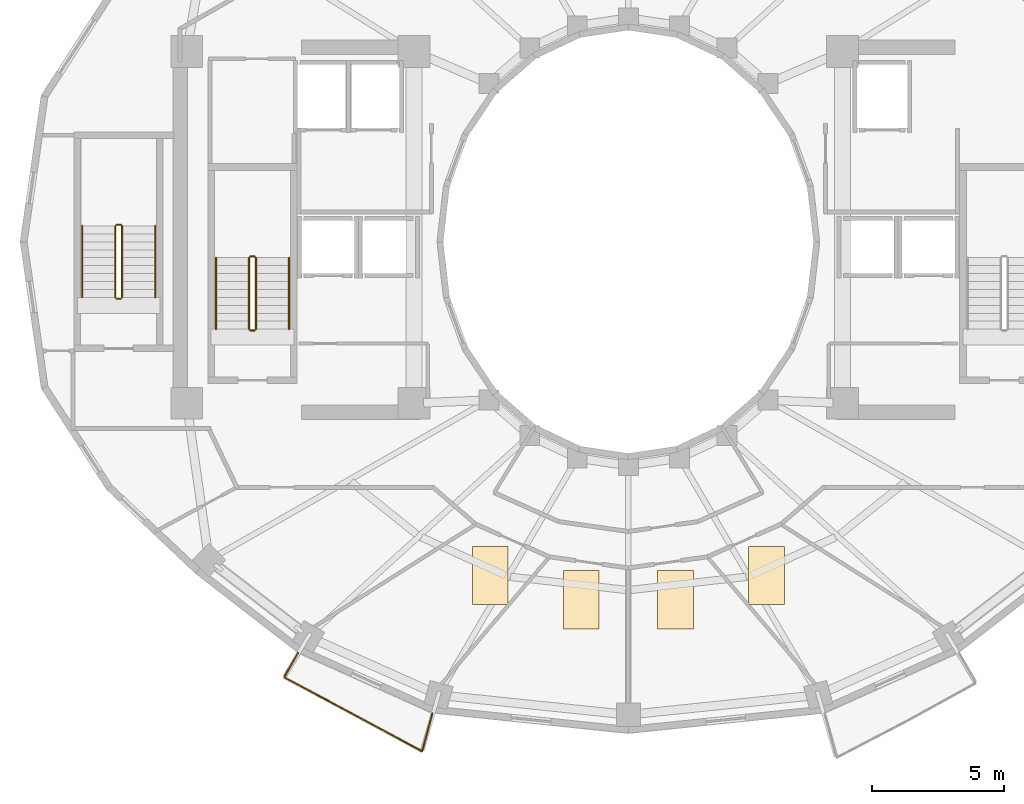
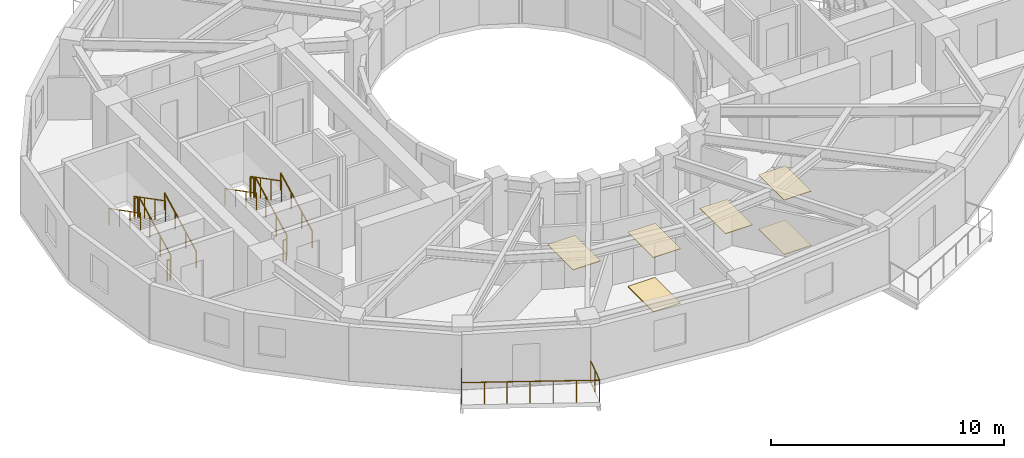
# One storey, part 8 of 10: 13 railings, 6 coverings.
"""IFC4 building model written with IfcOpenShell, lengths in metres."""

from ifc_helpers import new_model, si_unit, direction, frame, origin, origin_2d, place, context, subcontext, project, spatial, polyline, circle, outline, extrude, material, layer, layer_set, type_object, element, save


model = new_model("IFC4")

# Units and contexts
model_context = context("Model", 3, precision=1e-05, world=origin(), true_north=direction((0.0, 1.0)))
body_context = subcontext(model_context, "Body", "Model", "MODEL_VIEW")
ifc_project = project(units=[si_unit("LENGTHUNIT", "METRE"), si_unit("AREAUNIT", "SQUARE_METRE"), si_unit("VOLUMEUNIT", "CUBIC_METRE"), si_unit("PLANEANGLEUNIT", "RADIAN"), si_unit("MASSUNIT", "GRAM", prefix="KILO")], contexts=[model_context])

# Site, building, storey
site_placement = place(None, origin())
site = spatial("IfcSite", under=ifc_project, at=site_placement, CompositionType="ELEMENT")
building_placement = place(site_placement, origin())
building = spatial("IfcBuilding", under=site, at=building_placement, Name="Solvane Sanctuary Tower", CompositionType="ELEMENT")
storey_placement = place(building_placement, frame((0.0, 0.0, 183.89990234375)))
storey = spatial("IfcBuildingStorey", under=building, at=storey_placement, Name="L56", CompositionType="ELEMENT", Elevation=183.89990234375)

# Coverings
ifc_material_1 = material(Name="Acoustic Gypsum Partition Board")
ifc_layer_1 = layer(ifc_material_1, 0.02490234375, Name="Acoustic Gypsum Partition Board")
ifc_layer_set_1 = layer_set([ifc_layer_1], Name="Acoustic Gypsum Partition Board")
covering_type_1 = type_object("IfcCoveringType", Name="Covering CLG-ACOUST", PredefinedType="CEILING", material=ifc_layer_set_1)
covering_1_placement = place(storey_placement, frame((0.0, 0.0, 2.85009765625)))
element("IfcCovering", 1, at=covering_1_placement, inside=storey, type_object=covering_type_1, Name="L56 Unit Acoustic Ceiling Panel 5", PredefinedType="CEILING", context=body_context, shape_type="SweptSolid", body=[
    extrude(outline(polyline([(26.10107421875, 9.2890625), (27.450927734375, 9.2890625), (27.450927734375, 11.489013671875), (26.10107421875, 11.489013671875), (26.10107421875, 9.2890625)])), origin(), (0.0, 0.0, 1.0), 0.030029296875),
])
covering_2_placement = place(storey_placement, frame((0.0, 0.0, 2.85009765625)))
element("IfcCovering", 2, at=covering_2_placement, inside=storey, type_object=covering_type_1, Name="L56 Unit Acoustic Ceiling Panel 6", PredefinedType="CEILING", context=body_context, shape_type="SweptSolid", body=[
    extrude(outline(polyline([(29.54296875, 8.366943359375), (30.89306640625, 8.366943359375), (30.89306640625, 10.56689453125), (29.54296875, 10.56689453125), (29.54296875, 8.366943359375)])), origin(), (0.0, 0.0, 1.0), 0.030029296875),
])
covering_3_placement = place(storey_placement, frame((0.0, 0.0, 2.85009765625)))
element("IfcCovering", 3, at=covering_3_placement, inside=storey, type_object=covering_type_1, Name="L56 Unit Acoustic Ceiling Panel 7", PredefinedType="CEILING", context=body_context, shape_type="SweptSolid", body=[
    extrude(outline(polyline([(33.10693359375, 8.366943359375), (34.45703125, 8.366943359375), (34.45703125, 10.56689453125), (33.10693359375, 10.56689453125), (33.10693359375, 8.366943359375)])), origin(), (0.0, 0.0, 1.0), 0.030029296875),
])
covering_4_placement = place(storey_placement, frame((0.0, 0.0, 2.85009765625)))
element("IfcCovering", 4, at=covering_4_placement, inside=storey, type_object=covering_type_1, Name="L56 Unit Acoustic Ceiling Panel 8", PredefinedType="CEILING", context=body_context, shape_type="SweptSolid", body=[
    extrude(outline(polyline([(36.549072265625, 9.2890625), (37.89892578125, 9.2890625), (37.89892578125, 11.489013671875), (36.549072265625, 11.489013671875), (36.549072265625, 9.2890625)])), origin(), (0.0, 0.0, 1.0), 0.030029296875),
])
ifc_material_2 = material(Name="Ceramic Tile Finish")
ifc_layer_2 = layer(ifc_material_2, 0.030029296875, Name="Ceramic Tile Finish")
ifc_layer_set_2 = layer_set([ifc_layer_2], Name="Ceramic Tile Finish")
covering_type_2 = type_object("IfcCoveringType", Name="Covering FLR-TERRAZZO", PredefinedType="FLOORING", material=ifc_layer_set_2)
covering_5_placement = place(storey_placement, origin())
element("IfcCovering", 5, at=covering_5_placement, inside=storey, type_object=covering_type_2, Name="L56 Unit Terrazzo Inlay 6", PredefinedType="FLOORING", context=body_context, shape_type="SweptSolid", body=[
    extrude(outline(polyline([(29.54296875, 8.366943359375), (30.89306640625, 8.366943359375), (30.89306640625, 10.56689453125), (29.54296875, 10.56689453125), (29.54296875, 8.366943359375)])), origin(), (0.0, 0.0, 1.0), 0.03515625),
])
covering_6_placement = place(storey_placement, origin())
element("IfcCovering", 6, at=covering_6_placement, inside=storey, type_object=covering_type_2, Name="L56 Unit Terrazzo Inlay 8", PredefinedType="FLOORING", context=body_context, shape_type="SweptSolid", body=[
    extrude(outline(polyline([(36.549072265625, 9.2890625), (37.89892578125, 9.2890625), (37.89892578125, 11.489013671875), (36.549072265625, 11.489013671875), (36.549072265625, 9.2890625)])), origin(), (0.0, 0.0, 1.0), 0.03515625),
])

# Railings
ifc_material_3 = material(Name="Architectural Stainless Steel 316", Category="steel")
railing_type_1 = type_object("IfcRailingType", Name="Railing GR-BALC-1150", PredefinedType="BALUSTRADE", material=ifc_material_3)
railing_1_placement = place(storey_placement, frame((19.510986328125, 7.4541015625, 0.0)))
element("IfcRailing", 7, at=railing_1_placement, inside=storey, type_object=railing_type_1, Name="L56 Wave Balcony Balustrade S1", PredefinedType="BALUSTRADE", context=body_context, shape_type="SweptSolid", body=[
    extrude(circle(Radius=0.02392578125, at=origin_2d()), frame((0.0, 0.0, 1.1259765625), z_axis=(-0.50006949096, -0.865985279442, 0.0), x_axis=(0.865985279442, -0.50006949096, 0.0)), (0.0, 0.0, 1.0), 1.055419921875),
    extrude(circle(Radius=0.02392578125, at=origin_2d()), frame((-0.52783203125, -0.9140625, 1.1259765625), z_axis=(0.881917358686, -0.471404043734, 0.0), x_axis=(0.471404043734, 0.881917358686, 0.0)), (0.0, 0.0, 1.0), 2.93505859375),
    extrude(circle(Radius=0.02392578125, at=origin_2d()), frame((2.060546875, -2.297607421875, 1.1259765625), z_axis=(0.880368903355, -0.474289567674, 0.0), x_axis=(0.474289567674, 0.880368903355, 0.0)), (0.0, 0.0, 1.0), 2.9921875),
    extrude(circle(Radius=0.02392578125, at=origin_2d()), frame((4.69482421875, -3.716796875, 1.1259765625), z_axis=(0.258686731878, 0.965961269798, 0.0), x_axis=(-0.965961269798, 0.258686731878, 0.0)), (0.0, 0.0, 1.0), 1.483642578125),
    extrude(circle(Radius=0.02099609375, at=origin_2d()), origin(), (0.0, 0.0, 1.0), 1.101806640625),
    extrude(circle(Radius=0.02099609375, at=origin_2d()), frame((-0.52783203125, -0.9140625, 0.0)), (0.0, 0.0, 1.0), 1.101806640625),
    extrude(circle(Radius=0.02099609375, at=origin_2d()), frame((0.3349609375, -1.375244140625, 0.0)), (0.0, 0.0, 1.0), 1.101806640625),
    extrude(circle(Radius=0.02099609375, at=origin_2d()), frame((1.19775390625, -1.83642578125, 0.0)), (0.0, 0.0, 1.0), 1.101806640625),
    extrude(circle(Radius=0.02099609375, at=origin_2d()), frame((2.060546875, -2.297607421875, 0.0)), (0.0, 0.0, 1.0), 1.101806640625),
    extrude(circle(Radius=0.02099609375, at=origin_2d()), frame((2.938720703125, -2.770751953125, 0.0)), (0.0, 0.0, 1.0), 1.101806640625),
    extrude(circle(Radius=0.02099609375, at=origin_2d()), frame((3.816650390625, -3.24365234375, 0.0)), (0.0, 0.0, 1.0), 1.101806640625),
    extrude(circle(Radius=0.02099609375, at=origin_2d()), frame((4.69482421875, -3.716796875, 0.0)), (0.0, 0.0, 1.0), 1.101806640625),
    extrude(circle(Radius=0.02099609375, at=origin_2d()), frame((4.88671875, -3.000244140625, 0.0)), (0.0, 0.0, 1.0), 1.101806640625),
    extrude(circle(Radius=0.02099609375, at=origin_2d()), frame((5.07861328125, -2.28369140625, 0.0)), (0.0, 0.0, 1.0), 1.101806640625),
])
railing_2_placement = place(storey_placement, frame((17.919921875, 19.699951171875, 0.155029296875)))
element("IfcRailing", 8, at=railing_2_placement, inside=storey, type_object=railing_type_1, Name="L56 ST-1 stair guard 1", PredefinedType="BALUSTRADE", context=body_context, shape_type="SweptSolid", body=[
    extrude(circle(Radius=0.02392578125, at=origin_2d()), frame((0.0, 0.0, 1.076171875), z_axis=(0.0, 0.888419900624, 0.459031676658), x_axis=(-1.0, 0.0, 0.0)), (0.0, 0.0, 1.0), 3.0390625),
    extrude(circle(Radius=0.02099609375, at=origin_2d()), origin(), (0.0, 0.0, 1.0), 1.052001953125),
    extrude(circle(Radius=0.02099609375, at=origin_2d()), frame((0.0, 0.89990234375, 0.465087890625)), (0.0, 0.0, 1.0), 1.052001953125),
    extrude(circle(Radius=0.02099609375, at=origin_2d()), frame((0.0, 1.800048828125, 0.929931640625)), (0.0, 0.0, 1.0), 1.052001953125),
    extrude(circle(Radius=0.02099609375, at=origin_2d()), frame((0.0, 2.699951171875, 1.39501953125)), (0.0, 0.0, 1.0), 1.052001953125),
])
railing_3_placement = place(storey_placement, frame((17.8701171875, 22.449951171875, 1.550048828125)))
element("IfcRailing", 9, at=railing_3_placement, inside=storey, type_object=railing_type_1, Name="L56 ST-1 stair guard 2", PredefinedType="BALUSTRADE", context=body_context, shape_type="SweptSolid", body=[
    extrude(circle(Radius=0.02392578125, at=origin_2d()), frame((0.0, 0.0, 1.076171875), z_axis=(-1.0, 0.0, 0.0), x_axis=(0.0, -1.0, 0.0)), (0.0, 0.0, 1.0), 0.16015625),
    extrude(circle(Radius=0.02099609375, at=origin_2d()), origin(), (0.0, 0.0, 1.0), 1.052001953125),
    extrude(circle(Radius=0.02099609375, at=origin_2d()), frame((-0.16015625, 0.0, 0.0)), (0.0, 0.0, 1.0), 1.052001953125),
])
railing_4_placement = place(storey_placement, frame((17.659912109375, 22.39990234375, 1.705078125)))
element("IfcRailing", 10, at=railing_4_placement, inside=storey, type_object=railing_type_1, Name="L56 ST-1 stair guard 3", PredefinedType="BALUSTRADE", context=body_context, shape_type="SweptSolid", body=[
    extrude(circle(Radius=0.02392578125, at=origin_2d()), frame((0.0, 0.0, 1.076171875), z_axis=(0.0, -0.888419900624, 0.459031676658), x_axis=(1.0, 0.0, 0.0)), (0.0, 0.0, 1.0), 3.0390625),
    extrude(circle(Radius=0.02099609375, at=origin_2d()), origin(), (0.0, 0.0, 1.0), 1.052001953125),
    extrude(circle(Radius=0.02099609375, at=origin_2d()), frame((0.0, -0.89990234375, 0.465087890625)), (0.0, 0.0, 1.0), 1.052001953125),
    extrude(circle(Radius=0.02099609375, at=origin_2d()), frame((0.0, -1.800048828125, 0.929931640625)), (0.0, 0.0, 1.0), 1.052001953125),
    extrude(circle(Radius=0.02099609375, at=origin_2d()), frame((0.0, -2.699951171875, 1.39501953125)), (0.0, 0.0, 1.0), 1.052001953125),
])
railing_5_placement = place(storey_placement, frame((17.8701171875, 19.64990234375, 0.0)))
element("IfcRailing", 11, at=railing_5_placement, inside=storey, type_object=railing_type_1, Name="L56 ST-1 stair guard 4", PredefinedType="BALUSTRADE", context=body_context, shape_type="SweptSolid", body=[
    extrude(circle(Radius=0.02392578125, at=origin_2d()), frame((0.0, 0.0, 1.076171875), z_axis=(-1.0, 0.0, 0.0), x_axis=(0.0, -1.0, 0.0)), (0.0, 0.0, 1.0), 0.16015625),
    extrude(circle(Radius=0.02099609375, at=origin_2d()), origin(), (0.0, 0.0, 1.0), 1.052001953125),
    extrude(circle(Radius=0.02099609375, at=origin_2d()), frame((-0.16015625, 0.0, 0.0)), (0.0, 0.0, 1.0), 1.052001953125),
])
railing_6_placement = place(storey_placement, frame((12.860107421875, 20.89990234375, 0.155029296875)))
element("IfcRailing", 12, at=railing_6_placement, inside=storey, type_object=railing_type_1, Name="L56 ST-3 stair guard 1", PredefinedType="BALUSTRADE", context=body_context, shape_type="SweptSolid", body=[
    extrude(circle(Radius=0.02392578125, at=origin_2d()), frame((0.0, 0.0, 1.076171875), z_axis=(0.0, 0.888436826113, 0.458998917216), x_axis=(-1.0, 0.0, 0.0)), (0.0, 0.0, 1.0), 3.039306640625),
    extrude(circle(Radius=0.02099609375, at=origin_2d()), origin(), (0.0, 0.0, 1.0), 1.052001953125),
    extrude(circle(Radius=0.02099609375, at=origin_2d()), frame((0.0, 0.900146484375, 0.465087890625)), (0.0, 0.0, 1.0), 1.052001953125),
    extrude(circle(Radius=0.02099609375, at=origin_2d()), frame((0.0, 1.800048828125, 0.929931640625)), (0.0, 0.0, 1.0), 1.052001953125),
    extrude(circle(Radius=0.02099609375, at=origin_2d()), frame((0.0, 2.7001953125, 1.39501953125)), (0.0, 0.0, 1.0), 1.052001953125),
])
railing_7_placement = place(storey_placement, frame((12.81005859375, 23.64990234375, 1.550048828125)))
element("IfcRailing", 13, at=railing_7_placement, inside=storey, type_object=railing_type_1, Name="L56 ST-3 stair guard 2", PredefinedType="BALUSTRADE", context=body_context, shape_type="SweptSolid", body=[
    extrude(circle(Radius=0.02392578125, at=origin_2d()), frame((0.0, 0.0, 1.076171875), z_axis=(-1.0, 0.0, 0.0), x_axis=(0.0, -1.0, 0.0)), (0.0, 0.0, 1.0), 0.16015625),
    extrude(circle(Radius=0.02099609375, at=origin_2d()), origin(), (0.0, 0.0, 1.0), 1.052001953125),
    extrude(circle(Radius=0.02099609375, at=origin_2d()), frame((-0.16015625, 0.0, 0.0)), (0.0, 0.0, 1.0), 1.052001953125),
])
railing_8_placement = place(storey_placement, frame((12.60009765625, 23.60009765625, 1.705078125)))
element("IfcRailing", 14, at=railing_8_placement, inside=storey, type_object=railing_type_1, Name="L56 ST-3 stair guard 3", PredefinedType="BALUSTRADE", context=body_context, shape_type="SweptSolid", body=[
    extrude(circle(Radius=0.02392578125, at=origin_2d()), frame((0.0, 0.0, 1.076171875), z_axis=(0.0, -0.888436826113, 0.458998917216), x_axis=(1.0, 0.0, 0.0)), (0.0, 0.0, 1.0), 3.039306640625),
    extrude(circle(Radius=0.02099609375, at=origin_2d()), origin(), (0.0, 0.0, 1.0), 1.052001953125),
    extrude(circle(Radius=0.02099609375, at=origin_2d()), frame((0.0, -0.900146484375, 0.465087890625)), (0.0, 0.0, 1.0), 1.052001953125),
    extrude(circle(Radius=0.02099609375, at=origin_2d()), frame((0.0, -1.800048828125, 0.929931640625)), (0.0, 0.0, 1.0), 1.052001953125),
    extrude(circle(Radius=0.02099609375, at=origin_2d()), frame((0.0, -2.7001953125, 1.39501953125)), (0.0, 0.0, 1.0), 1.052001953125),
])
railing_9_placement = place(storey_placement, frame((12.81005859375, 20.85009765625, 0.0)))
element("IfcRailing", 15, at=railing_9_placement, inside=storey, type_object=railing_type_1, Name="L56 ST-3 stair guard 4", PredefinedType="BALUSTRADE", context=body_context, shape_type="SweptSolid", body=[
    extrude(circle(Radius=0.02392578125, at=origin_2d()), frame((0.0, 0.0, 1.076171875), z_axis=(-1.0, 0.0, 0.0), x_axis=(0.0, -1.0, 0.0)), (0.0, 0.0, 1.0), 0.16015625),
    extrude(circle(Radius=0.02099609375, at=origin_2d()), origin(), (0.0, 0.0, 1.0), 1.052001953125),
    extrude(circle(Radius=0.02099609375, at=origin_2d()), frame((-0.16015625, 0.0, 0.0)), (0.0, 0.0, 1.0), 1.052001953125),
])
railing_type_2 = type_object("IfcRailingType", Name="Railing HR-STAIR-920", PredefinedType="HANDRAIL", material=ifc_material_3)
railing_10_placement = place(storey_placement, frame((19.169921875, 19.699951171875, 0.155029296875)))
element("IfcRailing", 16, at=railing_10_placement, inside=storey, type_object=railing_type_2, Name="L56 ST-1 stair handrail 1", PredefinedType="HANDRAIL", context=body_context, shape_type="SweptSolid", body=[
    extrude(circle(Radius=0.02392578125, at=origin_2d()), frame((0.0, 0.0, 0.8759765625), z_axis=(0.0, 0.888419900624, 0.459031676658), x_axis=(-1.0, 0.0, 0.0)), (0.0, 0.0, 1.0), 3.0390625),
    extrude(circle(Radius=0.02099609375, at=origin_2d()), origin(), (0.0, 0.0, 1.0), 0.851806640625),
    extrude(circle(Radius=0.02099609375, at=origin_2d()), frame((0.0, 0.89990234375, 0.465087890625)), (0.0, 0.0, 1.0), 0.851806640625),
    extrude(circle(Radius=0.02099609375, at=origin_2d()), frame((0.0, 1.800048828125, 0.929931640625)), (0.0, 0.0, 1.0), 0.851806640625),
    extrude(circle(Radius=0.02099609375, at=origin_2d()), frame((0.0, 2.699951171875, 1.39501953125)), (0.0, 0.0, 1.0), 0.851806640625),
])
railing_11_placement = place(storey_placement, frame((16.409912109375, 22.39990234375, 1.705078125)))
element("IfcRailing", 17, at=railing_11_placement, inside=storey, type_object=railing_type_2, Name="L56 ST-1 stair handrail 2", PredefinedType="HANDRAIL", context=body_context, shape_type="SweptSolid", body=[
    extrude(circle(Radius=0.02392578125, at=origin_2d()), frame((0.0, 0.0, 0.8759765625), z_axis=(0.0, -0.888419900624, 0.459031676658), x_axis=(1.0, 0.0, 0.0)), (0.0, 0.0, 1.0), 3.0390625),
    extrude(circle(Radius=0.02099609375, at=origin_2d()), origin(), (0.0, 0.0, 1.0), 0.851806640625),
    extrude(circle(Radius=0.02099609375, at=origin_2d()), frame((0.0, -0.89990234375, 0.465087890625)), (0.0, 0.0, 1.0), 0.851806640625),
    extrude(circle(Radius=0.02099609375, at=origin_2d()), frame((0.0, -1.800048828125, 0.929931640625)), (0.0, 0.0, 1.0), 0.851806640625),
    extrude(circle(Radius=0.02099609375, at=origin_2d()), frame((0.0, -2.699951171875, 1.39501953125)), (0.0, 0.0, 1.0), 0.851806640625),
])
railing_12_placement = place(storey_placement, frame((14.110107421875, 20.89990234375, 0.155029296875)))
element("IfcRailing", 18, at=railing_12_placement, inside=storey, type_object=railing_type_2, Name="L56 ST-3 stair handrail 1", PredefinedType="HANDRAIL", context=body_context, shape_type="SweptSolid", body=[
    extrude(circle(Radius=0.02392578125, at=origin_2d()), frame((0.0, 0.0, 0.8759765625), z_axis=(0.0, 0.888436826113, 0.458998917216), x_axis=(-1.0, 0.0, 0.0)), (0.0, 0.0, 1.0), 3.039306640625),
    extrude(circle(Radius=0.02099609375, at=origin_2d()), origin(), (0.0, 0.0, 1.0), 0.851806640625),
    extrude(circle(Radius=0.02099609375, at=origin_2d()), frame((0.0, 0.900146484375, 0.465087890625)), (0.0, 0.0, 1.0), 0.851806640625),
    extrude(circle(Radius=0.02099609375, at=origin_2d()), frame((0.0, 1.800048828125, 0.929931640625)), (0.0, 0.0, 1.0), 0.851806640625),
    extrude(circle(Radius=0.02099609375, at=origin_2d()), frame((0.0, 2.7001953125, 1.39501953125)), (0.0, 0.0, 1.0), 0.851806640625),
])
railing_13_placement = place(storey_placement, frame((11.35009765625, 23.60009765625, 1.705078125)))
element("IfcRailing", 19, at=railing_13_placement, inside=storey, type_object=railing_type_2, Name="L56 ST-3 stair handrail 2", PredefinedType="HANDRAIL", context=body_context, shape_type="SweptSolid", body=[
    extrude(circle(Radius=0.02392578125, at=origin_2d()), frame((0.0, 0.0, 0.8759765625), z_axis=(0.0, -0.888436826113, 0.458998917216), x_axis=(1.0, 0.0, 0.0)), (0.0, 0.0, 1.0), 3.039306640625),
    extrude(circle(Radius=0.02099609375, at=origin_2d()), origin(), (0.0, 0.0, 1.0), 0.851806640625),
    extrude(circle(Radius=0.02099609375, at=origin_2d()), frame((0.0, -0.900146484375, 0.465087890625)), (0.0, 0.0, 1.0), 0.851806640625),
    extrude(circle(Radius=0.02099609375, at=origin_2d()), frame((0.0, -1.800048828125, 0.929931640625)), (0.0, 0.0, 1.0), 0.851806640625),
    extrude(circle(Radius=0.02099609375, at=origin_2d()), frame((0.0, -2.7001953125, 1.39501953125)), (0.0, 0.0, 1.0), 0.851806640625),
])

save(model, "model.ifc")
